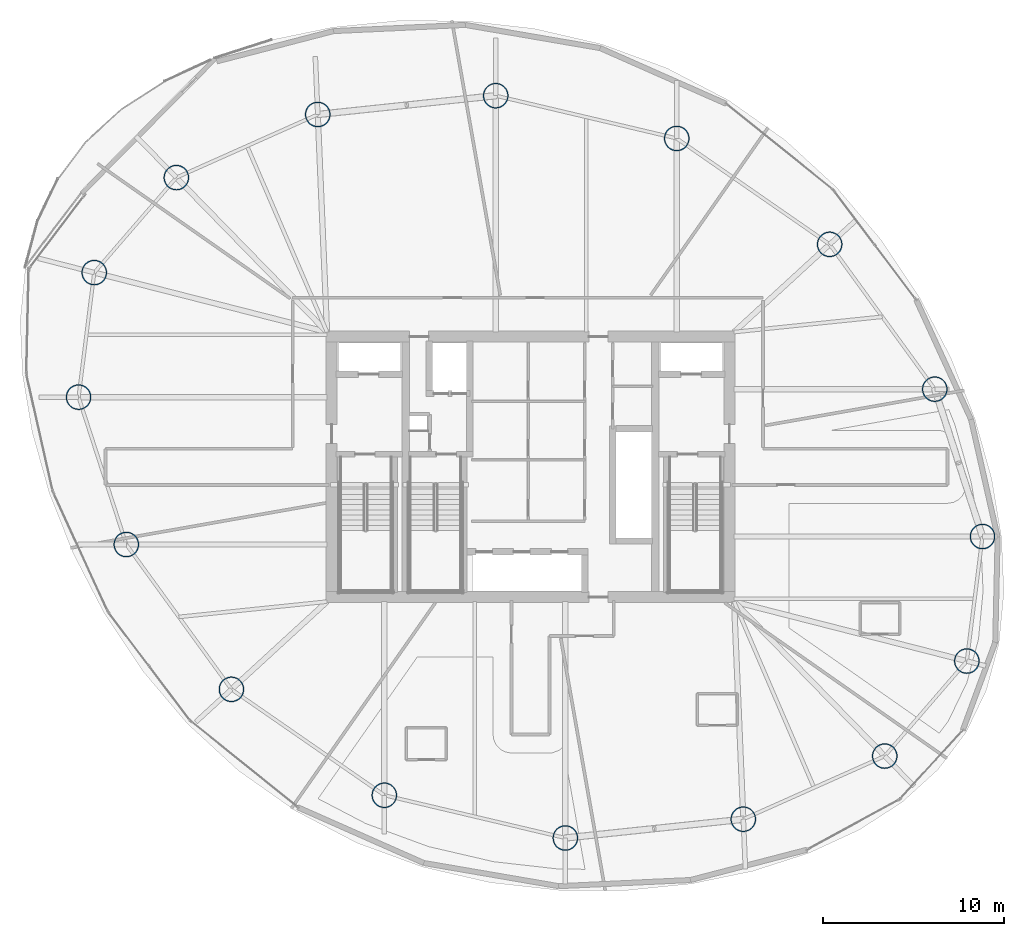
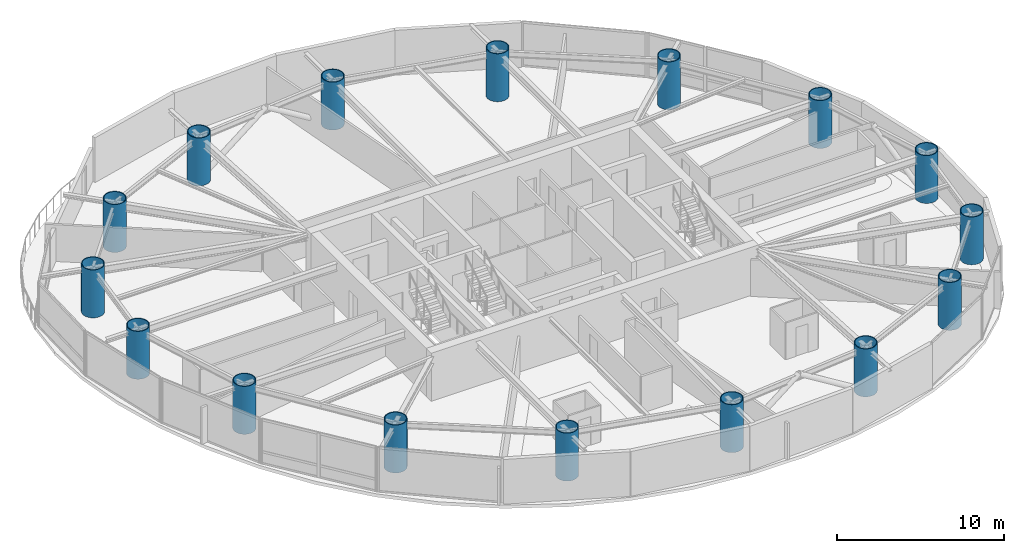
# One storey, part 1 of 20: 16 columns.
"""IFC4 building model written with IfcOpenShell, lengths in metres."""

from ifc_helpers import new_model, si_unit, direction, frame, origin, origin_2d, place, context, subcontext, project, spatial, hollow_circle, extrude, material, material_profile, profile_set, type_object, element, save


model = new_model("IFC4")

# Units and contexts
model_context = context("Model", 3, precision=1e-05, world=origin(), true_north=direction((0.0, 1.0)))
body_context = subcontext(model_context, "Body", "Model", "MODEL_VIEW")
ifc_project = project(units=[si_unit("LENGTHUNIT", "METRE"), si_unit("AREAUNIT", "SQUARE_METRE"), si_unit("VOLUMEUNIT", "CUBIC_METRE"), si_unit("PLANEANGLEUNIT", "RADIAN"), si_unit("MASSUNIT", "GRAM", prefix="KILO")], contexts=[model_context])

# Site, building, storey
site_placement = place(None, origin())
site = spatial("IfcSite", under=ifc_project, at=site_placement, CompositionType="ELEMENT")
building_placement = place(site_placement, origin())
building = spatial("IfcBuilding", under=site, at=building_placement, Name="Bramvorn Convention Spire", CompositionType="ELEMENT")
storey_placement = place(building_placement, frame((0.0, 0.0, 155.300048828125)))
storey = spatial("IfcBuildingStorey", under=building, at=storey_placement, Name="L39", CompositionType="ELEMENT", Elevation=155.300048828125)

# Columns
ifc_material = material(Name="Steel CSA G40.21 Grade 350 (350W)", Category="steel")
ifc_material_profile = material_profile(ifc_material, hollow_circle(Radius=0.699951171875, WallThickness=0.054931640625, at=origin_2d()))
ifc_profile_set = profile_set([ifc_material_profile], Name="Steel CSA G40.21 Grade 350 (350W) - CFT1400X55")
column_type = type_object("IfcColumnType", Name="COL-CFT1400X55", PredefinedType="COLUMN", material=ifc_profile_set)
for number, where, z_axis, x_axis, name in (
    (1, (62.11767578125, 15.26220703125, 0.0), (0.0, 0.0, 1.0), (1.0, 0.0, 0.0), "L39 composite CFT mega-column MC01"),
    (2, (62.983642578125, 22.148193359375, 0.0), (0.0, 0.0, 1.0), (1.0, 0.0, 0.0), "L39 composite CFT mega-column MC02"),
    (3, (60.345703125, 30.293212890625, 0.0), (0.0, 0.0, 1.0), (1.0, 0.0, 0.0), "L39 composite CFT mega-column MC03"),
    (4, (54.534912109375, 38.299072265625, 0.0), (0.0, 0.0, 1.0), (1.0, 0.0, 0.0), "L39 composite CFT mega-column MC04"),
    (5, (46.082763671875, 44.154052734375, 0.0), (0.0, 0.0, 1.0), (1.0, 0.0, 0.0), "L39 composite CFT mega-column MC05"),
    (6, (36.075927734375, 46.517333984375, 0.0), (0.0, 0.0, 1.0), (1.0, 0.0, 0.0), "L39 composite CFT mega-column MC06"),
    (7, (26.23828125, 45.478759765625, 0.0), (0.0, 0.0, 1.0), (1.0, 0.0, 0.0), "L39 composite CFT mega-column MC07"),
    (8, (18.420166015625, 41.9892578125, 0.0), (0.0, 0.0, 1.0), (1.0, 0.0, 0.0), "L39 composite CFT mega-column MC08"),
    (9, (13.88232421875, 36.73779296875, 0.0), (0.0, 0.0, 1.0), (1.0, 0.0, 0.0), "L39 composite CFT mega-column MC09"),
    (10, (13.016357421875, 29.851806640625, 0.0), (0.0, 0.0, 1.0), (1.0, 0.0, 0.0), "L39 composite CFT mega-column MC10"),
    (11, (15.654296875, 21.706787109375, 0.0), (0.0, 0.0, 1.0), (1.0, 0.0, 0.0), "L39 composite CFT mega-column MC11"),
    (12, (21.465087890625, 13.700927734375, 0.0), (0.0, 0.0, 1.0), (1.0, 0.0, 0.0), "L39 composite CFT mega-column MC12"),
    (13, (29.917236328125, 7.845947265625, 0.0), (0.0, 0.0, 1.0), (1.0, 0.0, 0.0), "L39 composite CFT mega-column MC13"),
    (14, (39.924072265625, 5.482666015625, 0.0), (0.0, 0.0, 1.0), (1.0, 0.0, 0.0), "L39 composite CFT mega-column MC14"),
    (15, (49.76171875, 6.521240234375, 0.0), (0.0, 0.0, 1.0), (1.0, 0.0, 0.0), "L39 composite CFT mega-column MC15"),
    (16, (57.579833984375, 10.0107421875, 0.0), (0.0, 0.0, 1.0), (1.0, 0.0, 0.0), "L39 composite CFT mega-column MC16"),
):
    element("IfcColumn", number, at=place(storey_placement, frame(where, z_axis=z_axis, x_axis=x_axis)), inside=storey, type_object=column_type, Name=name, PredefinedType="COLUMN", context=body_context, shape_type="SweptSolid", body=[
        extrude(hollow_circle(Radius=0.699951171875, WallThickness=0.054931640625, at=origin_2d()), origin(), (0.0, 0.0, 1.0), 3.5),
    ])

save(model, "model.ifc")
